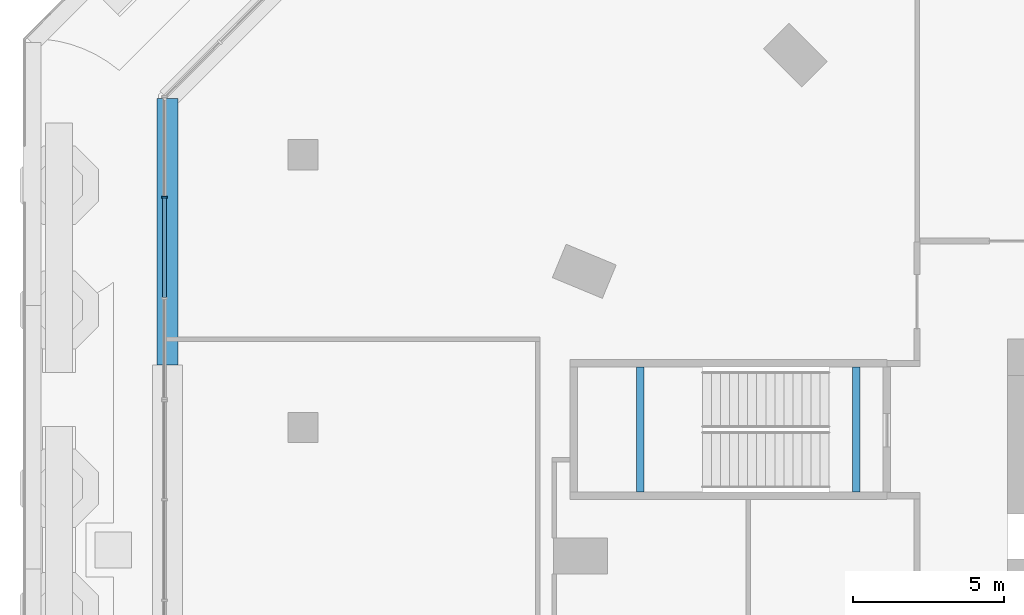
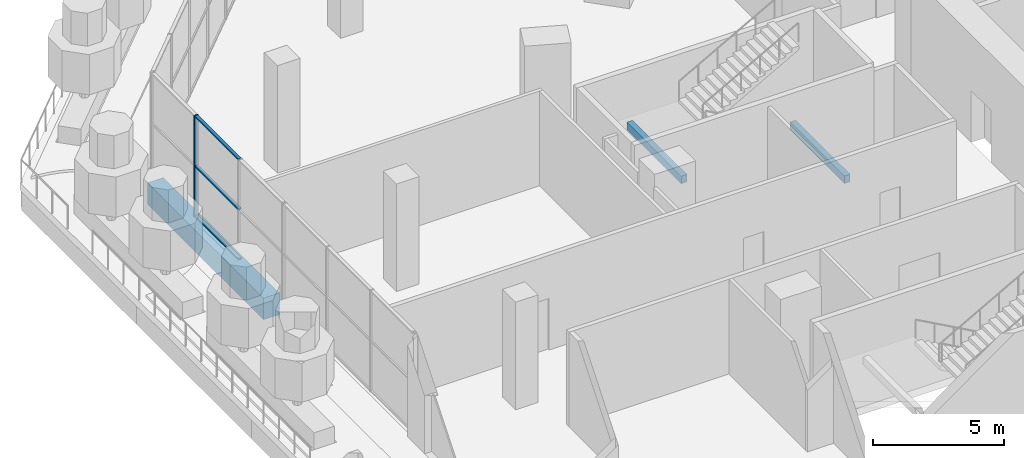
# One storey, part 7 of 32: 4 members, 3 beams, 1 element without a shape of its own.
"""IFC4 building model written with IfcOpenShell, lengths in metres."""

from ifc_helpers import new_model, si_unit, direction, frame, origin, origin_2d, place, context, subcontext, project, spatial, rectangle, extrude, material, material_profile, profile_set, type_object, element, aggregate, save


model = new_model("IFC4")

# Units and contexts
model_context = context("Model", 3, precision=1e-05, world=origin(), true_north=direction((0.0, 1.0)))
body_context = subcontext(model_context, "Body", "Model", "MODEL_VIEW")
ifc_project = project(units=[si_unit("LENGTHUNIT", "METRE"), si_unit("AREAUNIT", "SQUARE_METRE"), si_unit("VOLUMEUNIT", "CUBIC_METRE"), si_unit("PLANEANGLEUNIT", "RADIAN"), si_unit("MASSUNIT", "GRAM", prefix="KILO")], contexts=[model_context])

# Site, building, storey
site_placement = place(None, origin())
site = spatial("IfcSite", under=ifc_project, at=site_placement, CompositionType="ELEMENT")
building_placement = place(site_placement, origin())
building = spatial("IfcBuilding", under=site, at=building_placement, Name="Msitu Wima Residences", CompositionType="ELEMENT")
storey_placement = place(building_placement, frame((0.0, 0.0, 6.0)))
storey = spatial("IfcBuildingStorey", under=building, at=storey_placement, Name="L01", CompositionType="ELEMENT", Elevation=6.0)

# Beams
ifc_material_1 = material(Name="Concrete C40/50", Category="concrete")
ifc_material_profile_1 = material_profile(ifc_material_1, rectangle(XDim=0.25, YDim=0.35009765625, at=origin_2d()), Name="RC 250x350")
ifc_profile_set_1 = profile_set([ifc_material_profile_1], Name="Concrete C40/50")
beam_type_1 = type_object("IfcBeamType", Name="Landing beam RC 250x350", PredefinedType="BEAM", material=ifc_profile_set_1)
for number, where, z_axis, x_axis, name in (
    (1, (-26.60009765625, 6.925048828125, 2.125), (0.0, 1.0, 0.0), (-1.0, 0.0, 0.0), "Podium exit stair 6 landing beam"),
    (2, (-19.425048828125, 6.925048828125, -0.375), (0.0, 1.0, 0.0), (-1.0, 0.0, 0.0), "Podium exit stair 6 floor landing beam"),
):
    element("IfcBeam", number, at=place(storey_placement, frame(where, z_axis=z_axis, x_axis=x_axis)), inside=storey, type_object=beam_type_1, Name=name, PredefinedType="BEAM", context=body_context, shape_type="SweptSolid", body=[
        extrude(rectangle(XDim=0.25, YDim=0.35009765625, at=origin_2d()), origin(), (0.0, 0.0, 1.0), 4.14990234375),
    ])

# Curtain wall, member
ifc_material_2 = material(Name="Anodised aluminium, bronze finish, clear low-emissivity double glazing", Category="aluminium")
curtain_wall_type = type_object("IfcCurtainWallType", Name="Curtain wall CW5 retail shopfront", PredefinedType="NOTDEFINED", material=ifc_material_2)
curtain_wall_placement = place(storey_placement, origin())
curtain_wall = element("IfcCurtainWall", 3, at=curtain_wall_placement, inside=storey, type_object=curtain_wall_type, Name="Curtain wall CW5 L01 W0", PredefinedType="NOTDEFINED")
ifc_material_3 = material(Name="Anodised aluminium, bronze finish", Category="aluminium")
ifc_material_profile_2 = material_profile(ifc_material_3, rectangle(XDim=0.179931640625, YDim=0.06494140625, at=origin_2d()), Name="Mullion 65x180")
ifc_profile_set_2 = profile_set([ifc_material_profile_2], Name="Anodised aluminium, bronze finish")
member_type_1 = type_object("IfcMemberType", Name="Mullion CW5 65x180", PredefinedType="MULLION", material=ifc_profile_set_2)
member_1_placement = place(storey_placement, frame((-42.39990234375, 16.721923828125, 0.0), z_axis=(0.0, 0.0, 1.0), x_axis=(1.0, 0.0, 0.0)))
member_1 = element("IfcMember", 4, at=member_1_placement, type_object=member_type_1, Name="CW5 mullion 2", PredefinedType="MULLION", context=body_context, shape_type="SweptSolid", body=[
    extrude(rectangle(XDim=0.179931640625, YDim=0.06494140625, at=origin_2d()), origin(), (0.0, 0.0, 1.0), 4.699951171875),
])

# Beam
ifc_material_4 = material(Name="Concrete C60/75", Category="concrete")
ifc_material_profile_3 = material_profile(ifc_material_4, rectangle(XDim=0.699951171875, YDim=1.0, at=origin_2d()), Name="RC 700x1000")
ifc_profile_set_3 = profile_set([ifc_material_profile_3], Name="Concrete C60/75")
beam_type_2 = type_object("IfcBeamType", Name="Terrace beam RC 700x1000 Concrete C60/75", PredefinedType="BEAM", material=ifc_profile_set_3)
beam_placement = place(storey_placement, frame((-42.300048828125, 19.991943359375, -0.85009765625), z_axis=(0.0, -1.0, 0.0), x_axis=(1.0, 0.0, 0.0)))
element("IfcBeam", 5, at=beam_placement, inside=storey, type_object=beam_type_2, Name="Terrace upstand-line beam L01 T26", PredefinedType="BEAM", context=body_context, shape_type="SweptSolid", body=[
    extrude(rectangle(XDim=0.699951171875, YDim=1.0, at=origin_2d()), origin(), (0.0, 0.0, 1.0), 8.847900390625),
])

# Member
ifc_material_profile_4 = material_profile(ifc_material_3, rectangle(XDim=0.139892578125, YDim=0.06494140625, at=origin_2d()), Name="Transom 65x140")
ifc_profile_set_4 = profile_set([ifc_material_profile_4], Name="Anodised aluminium, bronze finish")
member_type_2 = type_object("IfcMemberType", Name="Transom CW5 65x140", PredefinedType="USERDEFINED", material=ifc_profile_set_4)
member_2_placement = place(storey_placement, frame((-42.39990234375, 16.689453125, 0.032470703125), z_axis=(0.0, -1.0, 0.0), x_axis=(1.0, 0.0, 0.0)))
member_2 = element("IfcMember", 6, at=member_2_placement, type_object=member_type_2, Name="CW5 transom 2.1", ObjectType="TRANSOM", PredefinedType="USERDEFINED", context=body_context, shape_type="SweptSolid", body=[
    extrude(rectangle(XDim=0.139892578125, YDim=0.06494140625, at=origin_2d()), origin(), (0.0, 0.0, 1.0), 3.2978515625),
])

member_3_placement = place(storey_placement, frame((-42.39990234375, 16.689453125, 2.35009765625), z_axis=(0.0, -1.0, 0.0), x_axis=(1.0, 0.0, 0.0)))
member_3 = element("IfcMember", 7, at=member_3_placement, type_object=member_type_2, Name="CW5 transom 2.2", ObjectType="TRANSOM", PredefinedType="USERDEFINED", context=body_context, shape_type="SweptSolid", body=[
    extrude(rectangle(XDim=0.139892578125, YDim=0.06494140625, at=origin_2d()), origin(), (0.0, 0.0, 1.0), 3.2978515625),
])

member_4_placement = place(storey_placement, frame((-42.39990234375, 16.689453125, 4.66748046875), z_axis=(0.0, -1.0, 0.0), x_axis=(1.0, 0.0, 0.0)))
member_4 = element("IfcMember", 8, at=member_4_placement, type_object=member_type_2, Name="CW5 transom 2.3", ObjectType="TRANSOM", PredefinedType="USERDEFINED", context=body_context, shape_type="SweptSolid", body=[
    extrude(rectangle(XDim=0.139892578125, YDim=0.06494140625, at=origin_2d()), origin(), (0.0, 0.0, 1.0), 3.2978515625),
])

aggregate(curtain_wall, [member_1, member_2, member_3, member_4])

save(model, "model.ifc")
